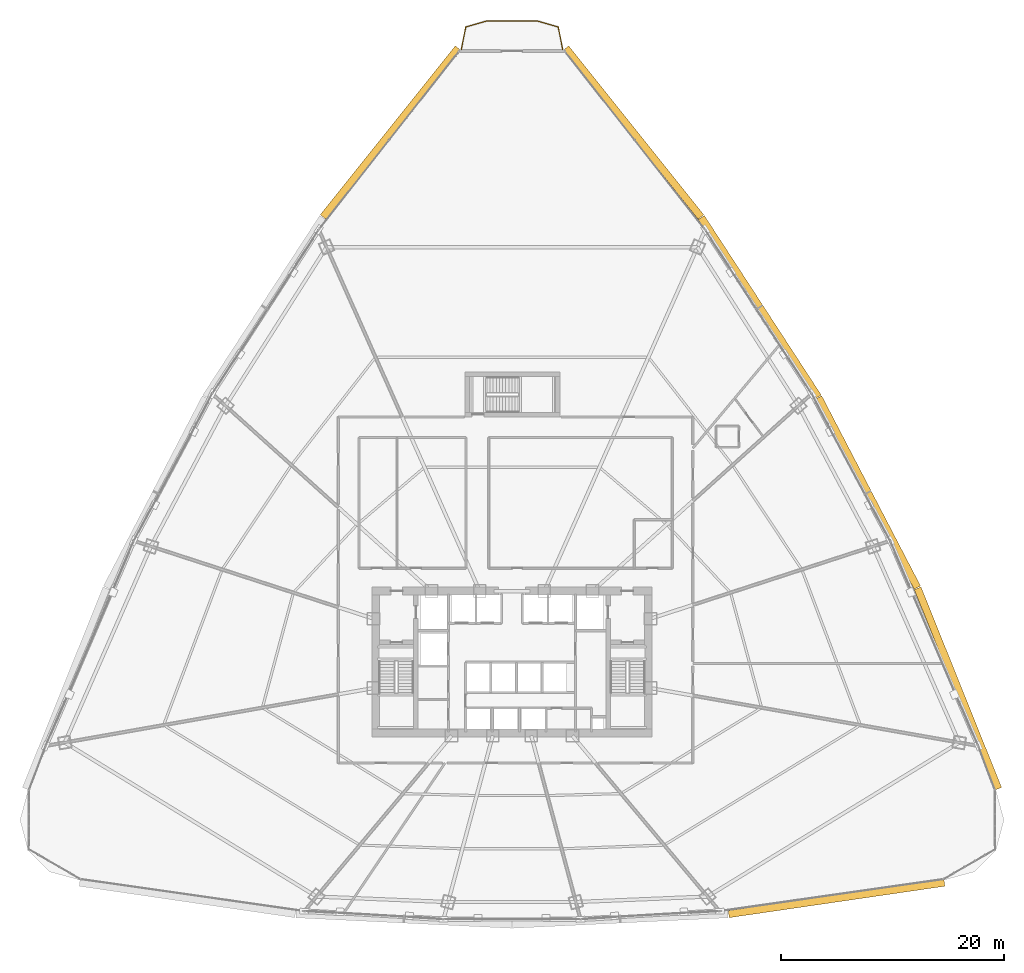
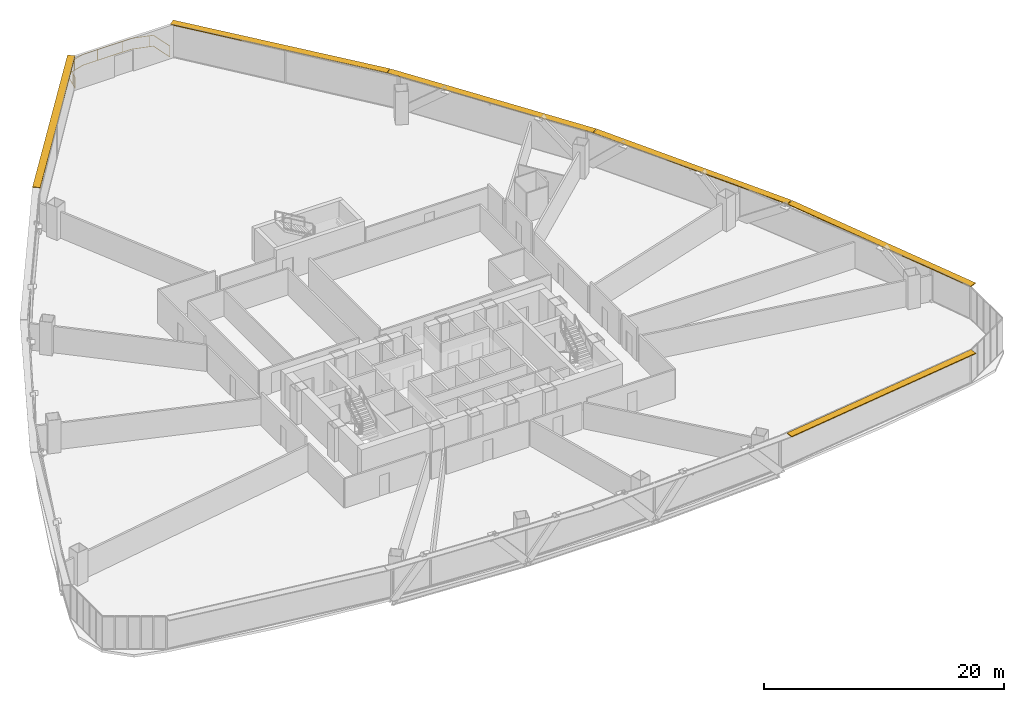
# One storey, part 42 of 42: 6 shading devices, 1 railing.
"""IFC4 building model written with IfcOpenShell, lengths in metres."""

from ifc_helpers import new_model, si_unit, direction, frame, origin, origin_2d, place, context, subcontext, project, spatial, rectangle, extrude, source, transform, mapped, material, layer, layer_set, type_object, element, save


model = new_model("IFC4")

# Units and contexts
model_context = context("Model", 3, precision=1e-05, world=origin(), true_north=direction((0.0, 1.0)))
body_context = subcontext(model_context, "Body", "Model", "MODEL_VIEW")
ifc_project = project(units=[si_unit("LENGTHUNIT", "METRE"), si_unit("AREAUNIT", "SQUARE_METRE"), si_unit("VOLUMEUNIT", "CUBIC_METRE"), si_unit("PLANEANGLEUNIT", "RADIAN"), si_unit("MASSUNIT", "GRAM", prefix="KILO"), si_unit("THERMODYNAMICTEMPERATUREUNIT", "KELVIN"), si_unit("POWERUNIT", "WATT")], contexts=[model_context])

# Site, building, storey
site_placement = place(None, origin())
site = spatial("IfcSite", under=ifc_project, at=site_placement, CompositionType="ELEMENT")
building_placement = place(site_placement, origin())
building = spatial("IfcBuilding", under=site, at=building_placement, Name="Yunzhuo Pagoda Commons", CompositionType="ELEMENT")
storey_placement = place(building_placement, frame((0.0, 0.0, 48.550048828125)))
storey = spatial("IfcBuildingStorey", under=building, at=storey_placement, Name="L12", CompositionType="ELEMENT", Elevation=48.550048828125)

# Railing
ifc_material = material(Name="Anodized aluminium 6063-T6", Category="aluminium")
railing_type = type_object("IfcRailingType", Name="RL-BAL1 Exterior Terrace & Balcony Balustrade 1150", PredefinedType="BALUSTRADE", material=ifc_material)
railing_placement = place(storey_placement, frame((52.543212890625, 88.695556640625, 0.0)))
element("IfcRailing", 1, at=railing_placement, inside=storey, type_object=railing_type, Name="L12 corner balcony balustrade V3", PredefinedType="BALUSTRADE", context=body_context, shape_type="SweptSolid", body=[
    extrude(rectangle(XDim=0.048095703125, YDim=0.048095703125, at=origin_2d()), frame((0.0, 0.0, 1.1259765625), z_axis=(-0.194200568098, 0.980961843983, 0.0), x_axis=(-0.980961843983, -0.194200568098, 0.0)), (0.0, 0.0, 1.0), 2.059326171875),
    extrude(rectangle(XDim=0.048095703125, YDim=0.048095703125, at=origin_2d()), frame((0.0, 0.0, 0.02392578125), z_axis=(-0.194200568098, 0.980961843983, 0.0), x_axis=(-0.980961843983, -0.194200568098, 0.0)), (0.0, 0.0, 1.0), 2.059326171875),
    extrude(rectangle(XDim=0.048095703125, YDim=0.048095703125, at=origin_2d()), frame((-0.39990234375, 2.02001953125, 1.1259765625), z_axis=(-0.960585861266, 0.277983458386, 0.0), x_axis=(-0.277983458386, -0.960585861266, 0.0)), (0.0, 0.0, 1.0), 1.90673828125),
    extrude(rectangle(XDim=0.048095703125, YDim=0.048095703125, at=origin_2d()), frame((-0.39990234375, 2.02001953125, 0.02392578125), z_axis=(-0.960585861266, 0.277983458386, 0.0), x_axis=(-0.277983458386, -0.960585861266, 0.0)), (0.0, 0.0, 1.0), 1.90673828125),
    extrude(rectangle(XDim=0.048095703125, YDim=0.048095703125, at=origin_2d()), frame((-2.2314453125, 2.550048828125, 1.1259765625), z_axis=(-1.0, 0.0, 0.0), x_axis=(0.0, -1.0, 0.0)), (0.0, 0.0, 1.0), 4.62353515625),
    extrude(rectangle(XDim=0.048095703125, YDim=0.048095703125, at=origin_2d()), frame((-2.2314453125, 2.550048828125, 0.02392578125), z_axis=(-1.0, 0.0, 0.0), x_axis=(0.0, -1.0, 0.0)), (0.0, 0.0, 1.0), 4.62353515625),
    extrude(rectangle(XDim=0.048095703125, YDim=0.048095703125, at=origin_2d()), frame((-6.85498046875, 2.550048828125, 1.1259765625), z_axis=(-0.960585861266, -0.277983458386, 0.0), x_axis=(0.277983458386, -0.960585861266, 0.0)), (0.0, 0.0, 1.0), 1.90673828125),
    extrude(rectangle(XDim=0.048095703125, YDim=0.048095703125, at=origin_2d()), frame((-6.85498046875, 2.550048828125, 0.02392578125), z_axis=(-0.960585861266, -0.277983458386, 0.0), x_axis=(0.277983458386, -0.960585861266, 0.0)), (0.0, 0.0, 1.0), 1.90673828125),
    extrude(rectangle(XDim=0.048095703125, YDim=0.048095703125, at=origin_2d()), frame((-8.6865234375, 2.02001953125, 1.1259765625), z_axis=(-0.194200568098, -0.980961843983, 0.0), x_axis=(0.980961843983, -0.194200568098, 0.0)), (0.0, 0.0, 1.0), 2.059326171875),
    extrude(rectangle(XDim=0.048095703125, YDim=0.048095703125, at=origin_2d()), frame((-8.6865234375, 2.02001953125, 0.02392578125), z_axis=(-0.194200568098, -0.980961843983, 0.0), x_axis=(0.980961843983, -0.194200568098, 0.0)), (0.0, 0.0, 1.0), 2.059326171875),
    extrude(rectangle(XDim=0.0419921875, YDim=0.0419921875, at=origin_2d()), origin(), (0.0, 0.0, 1.0), 1.101806640625),
    extrude(rectangle(XDim=0.0419921875, YDim=0.0419921875, at=origin_2d()), frame((-0.727294921875, 2.11474609375, 0.0)), (0.0, 0.0, 1.0), 1.101806640625),
    extrude(rectangle(XDim=0.0419921875, YDim=0.0419921875, at=origin_2d()), frame((-3.0654296875, 2.550048828125, 0.0)), (0.0, 0.0, 1.0), 1.101806640625),
    extrude(rectangle(XDim=0.0419921875, YDim=0.0419921875, at=origin_2d()), frame((-5.465576171875, 2.550048828125, 0.0)), (0.0, 0.0, 1.0), 1.101806640625),
    extrude(rectangle(XDim=0.0419921875, YDim=0.0419921875, at=origin_2d()), frame((-7.82568359375, 2.26904296875, 0.0)), (0.0, 0.0, 1.0), 1.101806640625),
    extrude(rectangle(XDim=0.0419921875, YDim=0.0419921875, at=origin_2d()), frame((-8.978515625, 0.544677734375, 0.0)), (0.0, 0.0, 1.0), 1.101806640625),
    extrude(rectangle(XDim=0.0419921875, YDim=0.0419921875, at=origin_2d()), frame((-9.08642578125, 0.0, 0.0)), (0.0, 0.0, 1.0), 1.101806640625),
])

# Shading devices
ifc_layer = layer(ifc_material, 0.080078125)
ifc_layer_set = layer_set([ifc_layer], Name="Anodized aluminium 6063-T6")
shading_device_type = type_object("IfcShadingDeviceType", Name="SH-SUN1 Pagoda Horizontal Sunshade Eave 650", PredefinedType="USERDEFINED", material=ifc_layer_set)
shared_shape_1 = source(origin(), body_context, "Body", "SweptSolid", [
    extrude(rectangle(XDim=19.519287109375, YDim=0.64990234375, at=origin_2d()), origin(), (0.0, 0.0, 1.0), 0.080078125),
])
shading_device_placement = place(storey_placement, frame((77.06591796875, 12.681884765625, 3.289794921875), z_axis=(0.0, 0.0, 1.0), x_axis=(0.989510666697, 0.144459823108, 0.0)))
element("IfcShadingDevice", 2, at=shading_device_placement, inside=storey, type_object=shading_device_type, Name="L12 horizontal pagoda sunshade eave F1.4", ObjectType="SUNSHADE", PredefinedType="USERDEFINED", context=body_context, shape_type="MappedRepresentation", body=[
    mapped(shared_shape_1, transform((0.0, 0.0, 0.0), scale=1.0)),
])
shared_shape_2 = source(origin(), body_context, "Body", "SweptSolid", [
    extrude(rectangle(XDim=19.3623046875, YDim=0.64990234375, at=origin_2d()), origin(), (0.0, 0.0, 1.0), 0.080078125),
])
for number, where, z_axis, x_axis, name in (
    (3, (87.935791015625, 31.47509765625, 3.289794921875), (0.0, 0.0, 1.0), (-0.372987782576, 0.927836253899, 0.0), "L12 horizontal pagoda sunshade eave F2.1"),
    (4, (58.869384765625, 81.268798828125, 3.289794921875), (0.0, 0.0, 1.0), (-0.624520471688, 0.781008438138, 0.0), "L12 horizontal pagoda sunshade eave F2.4"),
    (5, (37.130615234375, 81.268798828125, 3.289794921875), (0.0, 0.0, 1.0), (-0.624520471688, -0.781008438138, 0.0), "L12 horizontal pagoda sunshade eave F3.1"),
):
    element("IfcShadingDevice", number, at=place(storey_placement, frame(where, z_axis=z_axis, x_axis=x_axis)), inside=storey, type_object=shading_device_type, Name=name, ObjectType="SUNSHADE", PredefinedType="USERDEFINED", context=body_context, shape_type="MappedRepresentation", body=[
        mapped(shared_shape_2, transform((0.0, 0.0, 0.0), scale=1.0)),
    ])
shared_shape_3 = source(origin(), body_context, "Body", "SweptSolid", [
    extrude(rectangle(XDim=19.1787109375, YDim=0.64990234375, at=origin_2d()), origin(), (0.0, 0.0, 1.0), 0.080078125),
])
for number, where, z_axis, x_axis, name in (
    (6, (79.875732421875, 49.023681640625, 3.289794921875), (0.0, 0.0, 1.0), (-0.461206683033, 0.88729273384, 0.0), "L12 horizontal pagoda sunshade eave F2.2"),
    (7, (70.186767578125, 65.62158203125, 3.289794921875), (0.0, 0.0, 1.0), (-0.545853380833, 0.837880711458, 0.0), "L12 horizontal pagoda sunshade eave F2.3"),
):
    element("IfcShadingDevice", number, at=place(storey_placement, frame(where, z_axis=z_axis, x_axis=x_axis)), inside=storey, type_object=shading_device_type, Name=name, ObjectType="SUNSHADE", PredefinedType="USERDEFINED", context=body_context, shape_type="MappedRepresentation", body=[
        mapped(shared_shape_3, transform((0.0, 0.0, 0.0), scale=1.0)),
    ])

save(model, "model.ifc")
